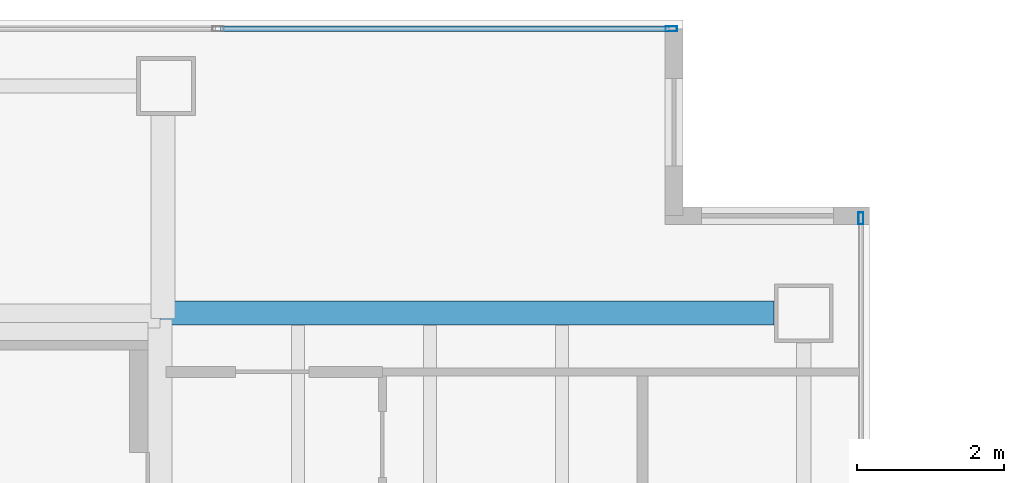
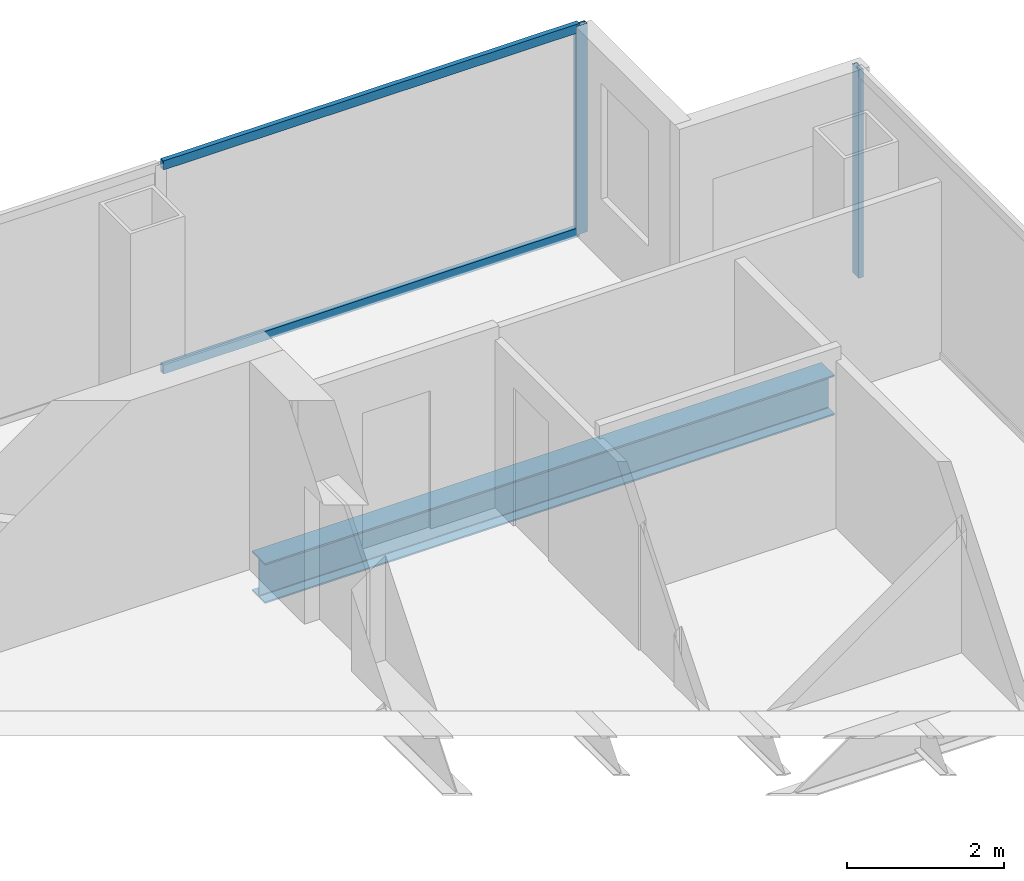
# One storey, part 18 of 23: 4 members, 1 beam, 2 elements without a shape of their own.
"""IFC4 building model written with IfcOpenShell, lengths in metres."""

from ifc_helpers import new_model, si_unit, direction, frame, origin, origin_2d, place, context, subcontext, project, spatial, hollow_rectangle, i_section, extrude, material, material_profile, profile_set, type_object, element, aggregate, save


model = new_model("IFC4")

# Units and contexts
model_context = context("Model", 3, precision=1e-05, world=origin(), true_north=direction((0.0, 1.0)))
body_context = subcontext(model_context, "Body", "Model", "MODEL_VIEW")
ifc_project = project(units=[si_unit("LENGTHUNIT", "METRE"), si_unit("AREAUNIT", "SQUARE_METRE"), si_unit("VOLUMEUNIT", "CUBIC_METRE"), si_unit("PLANEANGLEUNIT", "RADIAN"), si_unit("MASSUNIT", "GRAM", prefix="KILO")], contexts=[model_context])

# Site, building, storey
site_placement = place(None, origin())
site = spatial("IfcSite", under=ifc_project, at=site_placement, CompositionType="ELEMENT")
building_placement = place(site_placement, origin())
building = spatial("IfcBuilding", under=site, at=building_placement, Name="Cobrela Telecom Tower", CompositionType="ELEMENT")
storey_placement = place(building_placement, frame((0.0, 0.0, 190.75)))
storey = spatial("IfcBuildingStorey", under=building, at=storey_placement, Name="L48", CompositionType="ELEMENT", Elevation=190.75)

# Beam
ifc_material_1 = material(Name="Steel ASTM A992 Grade 50", Category="steel")
ifc_material_profile_1 = material_profile(ifc_material_1, i_section(OverallWidth=0.327880859375, OverallDepth=0.6220703125, WebThickness=0.015380859375, FlangeThickness=0.0244140625, FilletRadius=0.014892578125, at=origin_2d()), Name="W24X131")
ifc_profile_set_1 = profile_set([ifc_material_profile_1], Name="Steel ASTM A992 Grade 50")
beam_type = type_object("IfcBeamType", Name="BM-GIRD-06", PredefinedType="USERDEFINED", material=ifc_profile_set_1)
beam_placement = place(storey_placement, frame((14.324951171875, 36.0, -0.571044921875), z_axis=(1.0, 0.0, 0.0), x_axis=(0.0, 1.0, 0.0)))
element("IfcBeam", 1, at=beam_placement, inside=storey, type_object=beam_type, Name="L48 Primary Girder X22", ObjectType="GIRDER", PredefinedType="USERDEFINED", context=body_context, shape_type="SweptSolid", body=[
    extrude(i_section(OverallWidth=0.327880859375, OverallDepth=0.6220703125, WebThickness=0.015380859375, FlangeThickness=0.0244140625, FilletRadius=0.014892578125, at=origin_2d()), origin(), (0.0, 0.0, 1.0), 8.3701171875),
])

# Curtain wall, member
ifc_material_2 = material(Name="Anodized Bronze Aluminium 6063-T6", Category="aluminium")
curtain_wall_type = type_object("IfcCurtainWallType", Name="CW-SYS-OFF-LO", PredefinedType="USERDEFINED", material=ifc_material_2)
curtain_wall_1_placement = place(storey_placement, origin())
curtain_wall_1 = element("IfcCurtainWall", 2, at=curtain_wall_1_placement, inside=storey, type_object=curtain_wall_type, Name="L48 Unitised Bronze Curtain Wall 07", ObjectType="UNITISED CURTAIN WALL", PredefinedType="USERDEFINED")
ifc_material_profile_2 = material_profile(ifc_material_2, hollow_rectangle(XDim=0.070068359375, YDim=0.159912109375, WallThickness=0.00390625, at=origin_2d()), Name="ALU 70x160x4")
ifc_profile_set_2 = profile_set([ifc_material_profile_2], Name="Anodized Bronze Aluminium 6063-T6")
member_type_1 = type_object("IfcMemberType", Name="CW-SYS-OFF-LO-MUL", PredefinedType="MULLION", material=ifc_profile_set_2)
member_1_placement = place(storey_placement, frame((21.294921875, 39.8798828125, 0.0), z_axis=(0.0, 0.0, 1.0), x_axis=(0.0, 1.0, 0.0)))
member_1 = element("IfcMember", 3, at=member_1_placement, type_object=member_type_1, Name="CW-OFF-LO mullion 4", PredefinedType="MULLION", context=body_context, shape_type="SweptSolid", body=[
    extrude(hollow_rectangle(XDim=0.070068359375, YDim=0.159912109375, WallThickness=0.00390625, at=origin_2d()), origin(), (0.0, 0.0, 1.0), 3.239990234375),
])

curtain_wall_2_placement = place(storey_placement, origin())
curtain_wall_2 = element("IfcCurtainWall", 4, at=curtain_wall_2_placement, inside=storey, type_object=curtain_wall_type, Name="L48 Unitised Bronze Curtain Wall 10", ObjectType="UNITISED CURTAIN WALL", PredefinedType="USERDEFINED")
member_2_placement = place(storey_placement, frame((23.8798828125, 37.294921875, 0.0), z_axis=(0.0, 0.0, 1.0), x_axis=(1.0, 0.0, 0.0)))
member_2 = element("IfcMember", 5, at=member_2_placement, type_object=member_type_1, Name="CW-OFF-LO mullion 1", PredefinedType="MULLION", context=body_context, shape_type="SweptSolid", body=[
    extrude(hollow_rectangle(XDim=0.070068359375, YDim=0.159912109375, WallThickness=0.00390625, at=origin_2d()), origin(), (0.0, 0.0, 1.0), 3.239990234375),
])
aggregate(curtain_wall_2, [member_2])

# Member
ifc_material_profile_3 = material_profile(ifc_material_2, hollow_rectangle(XDim=0.070068359375, YDim=0.139892578125, WallThickness=0.00390625, at=origin_2d()), Name="ALU 70x140x4")
ifc_profile_set_3 = profile_set([ifc_material_profile_3], Name="Anodized Bronze Aluminium 6063-T6")
member_type_2 = type_object("IfcMemberType", Name="CW-SYS-OFF-LO-TRN", PredefinedType="USERDEFINED", material=ifc_profile_set_3)
member_3_placement = place(storey_placement, frame((15.14501953125, 39.8798828125, 0.034912109375), z_axis=(1.0, 0.0, 0.0), x_axis=(0.0, 1.0, 0.0)))
member_3 = element("IfcMember", 6, at=member_3_placement, type_object=member_type_2, Name="CW-OFF-LO transom 3.1", ObjectType="TRANSOM", PredefinedType="USERDEFINED", context=body_context, shape_type="SweptSolid", body=[
    extrude(hollow_rectangle(XDim=0.070068359375, YDim=0.139892578125, WallThickness=0.00390625, at=origin_2d()), origin(), (0.0, 0.0, 1.0), 6.114990234375),
])

member_4_placement = place(storey_placement, frame((15.14501953125, 39.8798828125, 3.205078125), z_axis=(1.0, 0.0, 0.0), x_axis=(0.0, 1.0, 0.0)))
member_4 = element("IfcMember", 7, at=member_4_placement, type_object=member_type_2, Name="CW-OFF-LO transom 3.2", ObjectType="TRANSOM", PredefinedType="USERDEFINED", context=body_context, shape_type="SweptSolid", body=[
    extrude(hollow_rectangle(XDim=0.070068359375, YDim=0.139892578125, WallThickness=0.00390625, at=origin_2d()), origin(), (0.0, 0.0, 1.0), 6.114990234375),
])

aggregate(curtain_wall_1, [member_1, member_3, member_4])

save(model, "model.ifc")
